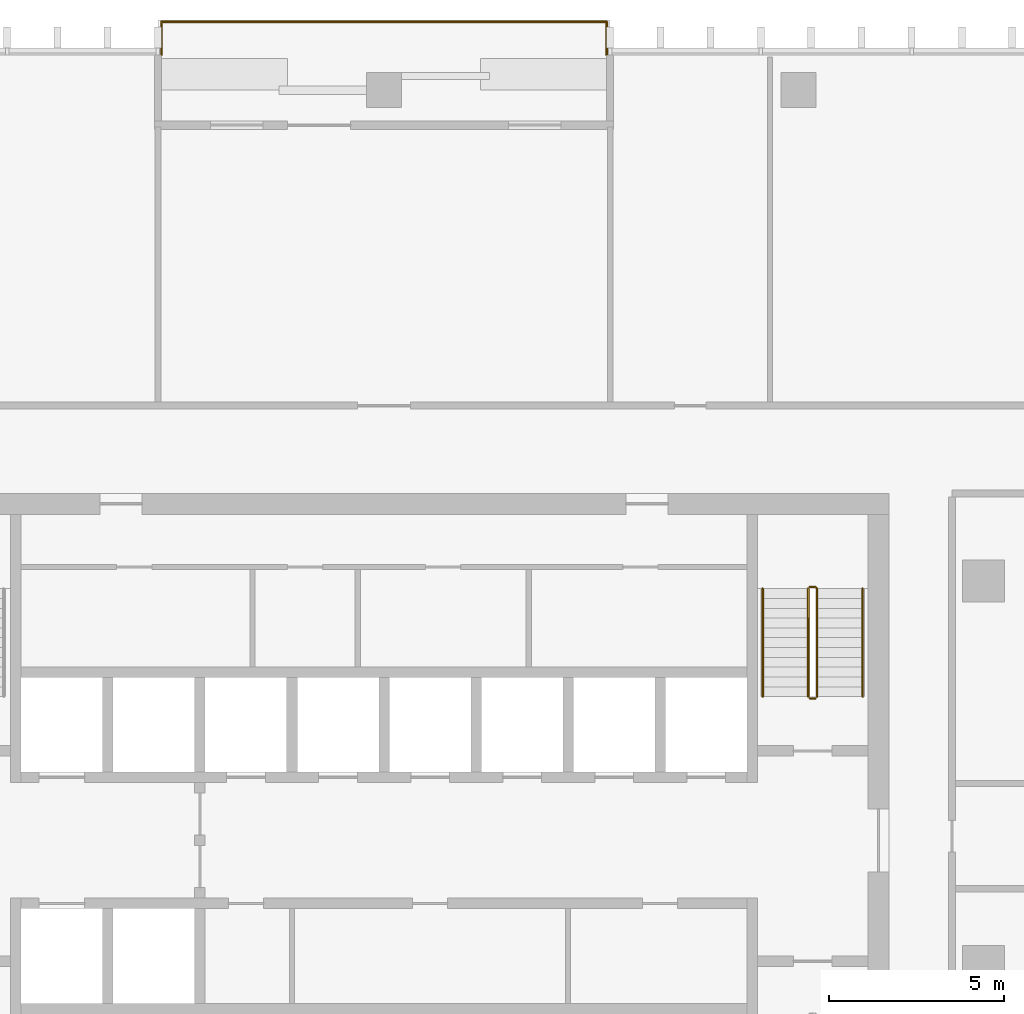
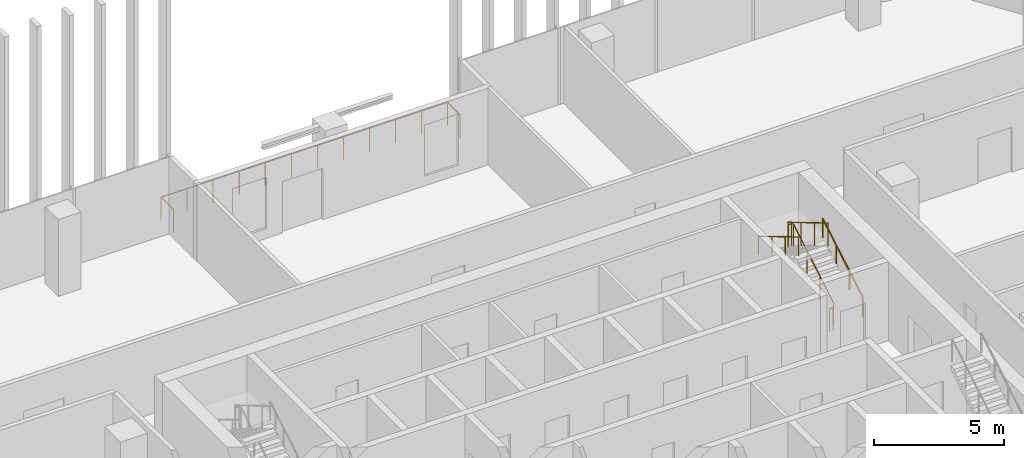
# One storey, part 15 of 16: 6 railings.
"""IFC4 building model written with IfcOpenShell, lengths in metres."""

from ifc_helpers import new_model, si_unit, direction, frame, origin, origin_2d, place, context, subcontext, project, spatial, circle, extrude, material, type_object, element, save


model = new_model("IFC4")

# Units and contexts
model_context = context("Model", 3, precision=1e-05, world=origin(), true_north=direction((0.0, 1.0)))
body_context = subcontext(model_context, "Body", "Model", "MODEL_VIEW")
ifc_project = project(units=[si_unit("LENGTHUNIT", "METRE"), si_unit("AREAUNIT", "SQUARE_METRE"), si_unit("VOLUMEUNIT", "CUBIC_METRE"), si_unit("PLANEANGLEUNIT", "RADIAN"), si_unit("MASSUNIT", "GRAM", prefix="KILO")], contexts=[model_context])

# Site, building, storey
site_placement = place(None, origin())
site = spatial("IfcSite", under=ifc_project, at=site_placement, CompositionType="ELEMENT")
building_placement = place(site_placement, origin())
building = spatial("IfcBuilding", under=site, at=building_placement, Name="Mopane Tessera Tower", CompositionType="ELEMENT")
storey_placement = place(building_placement, frame((0.0, 0.0, 279.39990234375)))
storey = spatial("IfcBuildingStorey", under=building, at=storey_placement, Name="L60", CompositionType="ELEMENT", Elevation=279.39990234375)

# Railings
ifc_material_1 = material(Name="Powder-coated steel balustrade", Category="steel")
railing_type_1 = type_object("IfcRailingType", Name="Escape stair guard 1100 mm", PredefinedType="GUARDRAIL", material=ifc_material_1)
railing_1_placement = place(storey_placement, frame((12.35009765625, 7.699951171875, 0.166748046875)))
element("IfcRailing", 1, at=railing_1_placement, inside=storey, type_object=railing_type_1, Name="L60 ST4 stair guard 1", PredefinedType="GUARDRAIL", context=body_context, shape_type="SweptSolid", body=[
    extrude(circle(Radius=0.02392578125, at=origin_2d()), frame((0.0, 0.0, 1.076171875), z_axis=(0.0, 0.859308565015, 0.511457515432), x_axis=(-1.0, 0.0, 0.0)), (0.0, 0.0, 1.0), 3.58447265625),
    extrude(circle(Radius=0.02392578125, at=origin_2d()), frame((0.0, 3.080078125, 2.9091796875), z_axis=(-0.707106781187, 0.707106781187, 0.0), x_axis=(-0.707106781187, -0.707106781187, 0.0)), (0.0, 0.0, 1.0), 0.07080078125),
    extrude(circle(Radius=0.02392578125, at=origin_2d()), frame((-0.050048828125, 3.130126953125, 2.9091796875), z_axis=(-1.0, 0.0, 0.0), x_axis=(0.0, -1.0, 0.0)), (0.0, 0.0, 1.0), 0.150146484375),
    extrude(circle(Radius=0.02099609375, at=origin_2d()), origin(), (0.0, 0.0, 1.0), 1.052001953125),
    extrude(circle(Radius=0.02099609375, at=origin_2d()), frame((0.0, 1.026611328125, 0.611083984375)), (0.0, 0.0, 1.0), 1.052001953125),
    extrude(circle(Radius=0.02099609375, at=origin_2d()), frame((0.0, 2.053466796875, 1.22216796875)), (0.0, 0.0, 1.0), 1.052001953125),
    extrude(circle(Radius=0.02099609375, at=origin_2d()), frame((0.0, 3.080078125, 1.833251953125)), (0.0, 0.0, 1.0), 1.052001953125),
    extrude(circle(Radius=0.02099609375, at=origin_2d()), frame((-0.050048828125, 3.130126953125, 1.833251953125)), (0.0, 0.0, 1.0), 1.052001953125),
    extrude(circle(Radius=0.02099609375, at=origin_2d()), frame((-0.2001953125, 3.130126953125, 1.833251953125)), (0.0, 0.0, 1.0), 1.052001953125),
])
railing_2_placement = place(storey_placement, frame((12.10009765625, 10.780029296875, 2.166748046875)))
element("IfcRailing", 2, at=railing_2_placement, inside=storey, type_object=railing_type_1, Name="L60 ST4 stair guard 2", PredefinedType="GUARDRAIL", context=body_context, shape_type="SweptSolid", body=[
    extrude(circle(Radius=0.02392578125, at=origin_2d()), frame((0.0, 0.0, 1.076171875), z_axis=(0.0, -0.859308565015, 0.511457515432), x_axis=(1.0, 0.0, 0.0)), (0.0, 0.0, 1.0), 3.58447265625),
    extrude(circle(Radius=0.02099609375, at=origin_2d()), origin(), (0.0, 0.0, 1.0), 1.052001953125),
    extrude(circle(Radius=0.02099609375, at=origin_2d()), frame((0.0, -1.026611328125, 0.611083984375)), (0.0, 0.0, 1.0), 1.052001953125),
    extrude(circle(Radius=0.02099609375, at=origin_2d()), frame((0.0, -2.053466796875, 1.22216796875)), (0.0, 0.0, 1.0), 1.052001953125),
    extrude(circle(Radius=0.02099609375, at=origin_2d()), frame((0.0, -3.080078125, 1.833251953125)), (0.0, 0.0, 1.0), 1.052001953125),
])
railing_3_placement = place(storey_placement, frame((12.300048828125, 7.64990234375, 0.0)))
element("IfcRailing", 3, at=railing_3_placement, inside=storey, type_object=railing_type_1, Name="L60 ST4 stair guard 3", PredefinedType="GUARDRAIL", context=body_context, shape_type="SweptSolid", body=[
    extrude(circle(Radius=0.02392578125, at=origin_2d()), frame((0.0, 0.0, 1.076171875), z_axis=(-1.0, 0.0, 0.0), x_axis=(0.0, -1.0, 0.0)), (0.0, 0.0, 1.0), 0.150146484375),
    extrude(circle(Radius=0.02099609375, at=origin_2d()), origin(), (0.0, 0.0, 1.0), 1.052001953125),
    extrude(circle(Radius=0.02099609375, at=origin_2d()), frame((-0.150146484375, 0.0, 0.0)), (0.0, 0.0, 1.0), 1.052001953125),
])
ifc_material_2 = material(Name="Powder-coated steel balustrade", Category="steel")
railing_type_2 = type_object("IfcRailingType", Name="Escape stair handrail 900 mm", PredefinedType="HANDRAIL", material=ifc_material_2)
railing_4_placement = place(storey_placement, frame((13.64990234375, 7.699951171875, 0.166748046875)))
element("IfcRailing", 4, at=railing_4_placement, inside=storey, type_object=railing_type_2, Name="L60 ST4 stair handrail 1", PredefinedType="HANDRAIL", context=body_context, shape_type="SweptSolid", body=[
    extrude(circle(Radius=0.02392578125, at=origin_2d()), frame((0.0, 0.0, 0.8759765625), z_axis=(0.0, 0.859308565015, 0.511457515432), x_axis=(-1.0, 0.0, 0.0)), (0.0, 0.0, 1.0), 3.58447265625),
    extrude(circle(Radius=0.02099609375, at=origin_2d()), origin(), (0.0, 0.0, 1.0), 0.851806640625),
    extrude(circle(Radius=0.02099609375, at=origin_2d()), frame((0.0, 1.026611328125, 0.611083984375)), (0.0, 0.0, 1.0), 0.851806640625),
    extrude(circle(Radius=0.02099609375, at=origin_2d()), frame((0.0, 2.053466796875, 1.22216796875)), (0.0, 0.0, 1.0), 0.851806640625),
    extrude(circle(Radius=0.02099609375, at=origin_2d()), frame((0.0, 3.080078125, 1.833251953125)), (0.0, 0.0, 1.0), 0.851806640625),
])
railing_5_placement = place(storey_placement, frame((10.800048828125, 10.780029296875, 2.166748046875)))
element("IfcRailing", 5, at=railing_5_placement, inside=storey, type_object=railing_type_2, Name="L60 ST4 stair handrail 2", PredefinedType="HANDRAIL", context=body_context, shape_type="SweptSolid", body=[
    extrude(circle(Radius=0.02392578125, at=origin_2d()), frame((0.0, 0.0, 0.8759765625), z_axis=(0.0, -0.859308565015, 0.511457515432), x_axis=(1.0, 0.0, 0.0)), (0.0, 0.0, 1.0), 3.58447265625),
    extrude(circle(Radius=0.02099609375, at=origin_2d()), origin(), (0.0, 0.0, 1.0), 0.851806640625),
    extrude(circle(Radius=0.02099609375, at=origin_2d()), frame((0.0, -1.026611328125, 0.611083984375)), (0.0, 0.0, 1.0), 0.851806640625),
    extrude(circle(Radius=0.02099609375, at=origin_2d()), frame((0.0, -2.053466796875, 1.22216796875)), (0.0, 0.0, 1.0), 0.851806640625),
    extrude(circle(Radius=0.02099609375, at=origin_2d()), frame((0.0, -3.080078125, 1.833251953125)), (0.0, 0.0, 1.0), 0.851806640625),
])
ifc_material_3 = material(Name="Stainless steel S316", Category="steel")
railing_type_3 = type_object("IfcRailingType", Name="Terrace guard 1100", PredefinedType="GUARDRAIL", material=ifc_material_3)
railing_6_placement = place(storey_placement, frame((6.35009765625, 26.0, 0.0)))
element("IfcRailing", 6, at=railing_6_placement, inside=storey, type_object=railing_type_3, Name="e:nw:L60:N2:guard", PredefinedType="GUARDRAIL", context=body_context, shape_type="SweptSolid", body=[
    extrude(circle(Radius=0.02392578125, at=origin_2d()), frame((0.0, 0.0, 1.076171875), z_axis=(0.0, 1.0, 0.0), x_axis=(-1.0, 0.0, 0.0)), (0.0, 0.0, 1.0), 0.949951171875),
    extrude(circle(Radius=0.02392578125, at=origin_2d()), frame((0.0, 0.949951171875, 1.076171875), z_axis=(-1.0, 0.0, 0.0), x_axis=(0.0, -1.0, 0.0)), (0.0, 0.0, 1.0), 12.7001953125),
    extrude(circle(Radius=0.02392578125, at=origin_2d()), frame((-12.7001953125, 0.949951171875, 1.076171875), z_axis=(0.0, -1.0, 0.0), x_axis=(1.0, 0.0, 0.0)), (0.0, 0.0, 1.0), 0.949951171875),
    extrude(circle(Radius=0.02099609375, at=origin_2d()), origin(), (0.0, 0.0, 1.0), 1.052001953125),
    extrude(circle(Radius=0.02099609375, at=origin_2d()), frame((0.0, 0.949951171875, 0.0)), (0.0, 0.0, 1.0), 1.052001953125),
    extrude(circle(Radius=0.02099609375, at=origin_2d()), frame((-1.154541015625, 0.949951171875, 0.0)), (0.0, 0.0, 1.0), 1.052001953125),
    extrude(circle(Radius=0.02099609375, at=origin_2d()), frame((-2.30908203125, 0.949951171875, 0.0)), (0.0, 0.0, 1.0), 1.052001953125),
    extrude(circle(Radius=0.02099609375, at=origin_2d()), frame((-3.463623046875, 0.949951171875, 0.0)), (0.0, 0.0, 1.0), 1.052001953125),
    extrude(circle(Radius=0.02099609375, at=origin_2d()), frame((-4.6181640625, 0.949951171875, 0.0)), (0.0, 0.0, 1.0), 1.052001953125),
    extrude(circle(Radius=0.02099609375, at=origin_2d()), frame((-5.772705078125, 0.949951171875, 0.0)), (0.0, 0.0, 1.0), 1.052001953125),
    extrude(circle(Radius=0.02099609375, at=origin_2d()), frame((-6.927490234375, 0.949951171875, 0.0)), (0.0, 0.0, 1.0), 1.052001953125),
    extrude(circle(Radius=0.02099609375, at=origin_2d()), frame((-8.08203125, 0.949951171875, 0.0)), (0.0, 0.0, 1.0), 1.052001953125),
    extrude(circle(Radius=0.02099609375, at=origin_2d()), frame((-9.236572265625, 0.949951171875, 0.0)), (0.0, 0.0, 1.0), 1.052001953125),
    extrude(circle(Radius=0.02099609375, at=origin_2d()), frame((-10.39111328125, 0.949951171875, 0.0)), (0.0, 0.0, 1.0), 1.052001953125),
    extrude(circle(Radius=0.02099609375, at=origin_2d()), frame((-11.545654296875, 0.949951171875, 0.0)), (0.0, 0.0, 1.0), 1.052001953125),
    extrude(circle(Radius=0.02099609375, at=origin_2d()), frame((-12.7001953125, 0.949951171875, 0.0)), (0.0, 0.0, 1.0), 1.052001953125),
    extrude(circle(Radius=0.02099609375, at=origin_2d()), frame((-12.7001953125, 0.0, 0.0)), (0.0, 0.0, 1.0), 1.052001953125),
])

save(model, "model.ifc")
